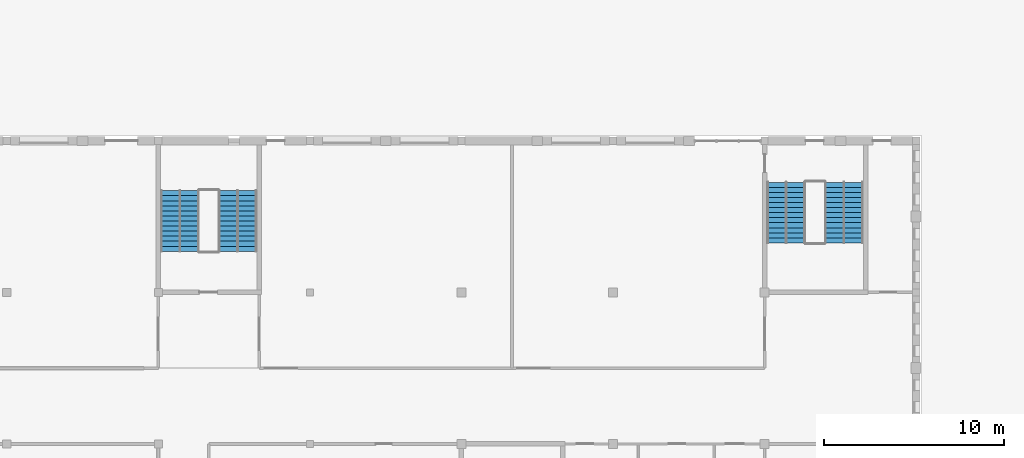
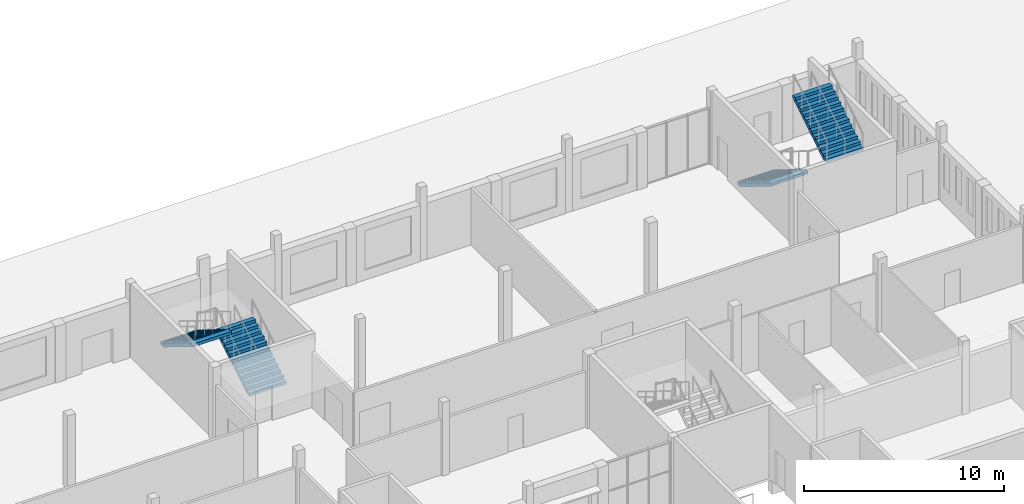
# One storey, part 92 of 101: 4 stair flights, 2 elements without a shape of their own.
"""IFC4 building model written with IfcOpenShell, lengths in metres."""

from ifc_helpers import new_model, si_unit, direction, frame, origin, place, context, subcontext, project, spatial, polyline, outline, extrude, material, type_object, element, aggregate, save


model = new_model("IFC4")

# Units and contexts
model_context = context("Model", 3, precision=1e-05, world=origin(), true_north=direction((0.0, 1.0)))
body_context = subcontext(model_context, "Body", "Model", "MODEL_VIEW")
ifc_project = project(units=[si_unit("LENGTHUNIT", "METRE"), si_unit("AREAUNIT", "SQUARE_METRE"), si_unit("VOLUMEUNIT", "CUBIC_METRE"), si_unit("PLANEANGLEUNIT", "RADIAN"), si_unit("MASSUNIT", "GRAM", prefix="KILO")], contexts=[model_context])

# Site, building, storey
site_placement = place(None, origin())
site = spatial("IfcSite", under=ifc_project, at=site_placement, CompositionType="ELEMENT")
building_placement = place(site_placement, origin())
building = spatial("IfcBuilding", under=site, at=building_placement, Name="Fescue Hill Polytechnic", CompositionType="ELEMENT")
storey_placement = place(building_placement, frame((0.0, 0.0, 9.0)))
storey = spatial("IfcBuildingStorey", under=building, at=storey_placement, Name="L02", CompositionType="ELEMENT", Elevation=9.0)

# Stair, stair flights
ifc_material = material(Name="Concrete 35 MPa", Category="concrete")
stair_type = type_object("IfcStairType", Name="Half-turn stair 2150 flights", PredefinedType="HALF_TURN_STAIR", material=ifc_material)
stair_1_placement = place(storey_placement, origin())
stair_1 = element("IfcStair", 1, at=stair_1_placement, inside=storey, type_object=stair_type, Name="L02 ST-V4b-2 stair", PredefinedType="HALF_TURN_STAIR")
stair_flight_type = type_object("IfcStairFlightType", Name="Stair flight 2150 wide", PredefinedType="STRAIGHT", material=ifc_material)
stair_flight_1_placement = place(storey_placement, frame((110.39990234375, 132.10009765625, 0.0), z_axis=(0.0, 0.0, 1.0), x_axis=(0.0, -1.0, 0.0)))
stair_flight_1 = element("IfcStairFlight", 2, at=stair_flight_1_placement, type_object=stair_flight_type, Name="S23 flight 1", NumberOfRisers=13, NumberOfTreads=12, PredefinedType="STRAIGHT", RiserHeight=0.173076923, TreadLength=0.28, context=body_context, shape_type="SweptSolid", body=[
    extrude(outline(polyline([(0.0, 0.0), (0.0, 0.173095703125), (0.280029296875, 0.173095703125), (0.280029296875, 0.34619140625), (0.56005859375, 0.34619140625), (0.56005859375, 0.519287109375), (0.840087890625, 0.519287109375), (0.840087890625, 0.6923828125), (1.1201171875, 0.6923828125), (1.1201171875, 0.865478515625), (1.39990234375, 0.865478515625), (1.39990234375, 1.03857421875), (1.679931640625, 1.03857421875), (1.679931640625, 1.21142578125), (1.9599609375, 1.21142578125), (1.9599609375, 1.384521484375), (2.239990234375, 1.384521484375), (2.239990234375, 1.5576171875), (2.52001953125, 1.5576171875), (2.52001953125, 1.730712890625), (2.800048828125, 1.730712890625), (2.800048828125, 1.90380859375), (3.080078125, 1.90380859375), (3.080078125, 2.076904296875), (3.360107421875, 2.076904296875), (3.360107421875, 2.25), (3.360107421875, 1.900634765625), (0.28515625, 0.0), (0.0, 0.0)])), frame((0.0, 1.074951171875, 0.0), z_axis=(0.0, -1.0, 0.0), x_axis=(1.0, 0.0, 0.0)), (0.0, 0.0, 1.0), 2.14990234375),
])
stair_flight_2_placement = place(storey_placement, frame((113.60009765625, 128.739990234375, 2.25), z_axis=(0.0, 0.0, 1.0), x_axis=(0.0, 1.0, 0.0)))
stair_flight_2 = element("IfcStairFlight", 3, at=stair_flight_2_placement, type_object=stair_flight_type, Name="S23 flight 2", NumberOfRisers=13, NumberOfTreads=12, PredefinedType="STRAIGHT", RiserHeight=0.173076923, TreadLength=0.28, context=body_context, shape_type="SweptSolid", body=[
    extrude(outline(polyline([(0.0, 0.0), (0.0, 0.173095703125), (0.280029296875, 0.173095703125), (0.280029296875, 0.34619140625), (0.56005859375, 0.34619140625), (0.56005859375, 0.519287109375), (0.840087890625, 0.519287109375), (0.840087890625, 0.6923828125), (1.1201171875, 0.6923828125), (1.1201171875, 0.865478515625), (1.39990234375, 0.865478515625), (1.39990234375, 1.03857421875), (1.679931640625, 1.03857421875), (1.679931640625, 1.21142578125), (1.9599609375, 1.21142578125), (1.9599609375, 1.384521484375), (2.239990234375, 1.384521484375), (2.239990234375, 1.5576171875), (2.52001953125, 1.5576171875), (2.52001953125, 1.730712890625), (2.800048828125, 1.730712890625), (2.800048828125, 1.90380859375), (3.080078125, 1.90380859375), (3.080078125, 2.076904296875), (3.360107421875, 2.076904296875), (3.360107421875, 2.25), (3.360107421875, 1.900634765625), (0.28515625, 0.0), (0.0, 0.0)])), frame((0.0, 1.074951171875, 0.0), z_axis=(0.0, -1.0, 0.0), x_axis=(1.0, 0.0, 0.0)), (0.0, 0.0, 1.0), 2.14990234375),
])
aggregate(stair_1, [stair_flight_1, stair_flight_2])

stair_2_placement = place(storey_placement, origin())
stair_2 = element("IfcStair", 4, at=stair_2_placement, inside=storey, type_object=stair_type, Name="L02 ST-V4b-4 stair", PredefinedType="HALF_TURN_STAIR")
stair_flight_3_placement = place(storey_placement, frame((80.0, 128.27490234375, 0.0), z_axis=(0.0, 0.0, 1.0), x_axis=(0.0, 1.0, 0.0)))
stair_flight_3 = element("IfcStairFlight", 5, at=stair_flight_3_placement, type_object=stair_flight_type, Name="S25 flight 1", NumberOfRisers=13, NumberOfTreads=12, PredefinedType="STRAIGHT", RiserHeight=0.173076923, TreadLength=0.28, context=body_context, shape_type="SweptSolid", body=[
    extrude(outline(polyline([(0.0, 0.0), (0.0, 0.173095703125), (0.280029296875, 0.173095703125), (0.280029296875, 0.34619140625), (0.56005859375, 0.34619140625), (0.56005859375, 0.519287109375), (0.840087890625, 0.519287109375), (0.840087890625, 0.6923828125), (1.1201171875, 0.6923828125), (1.1201171875, 0.865478515625), (1.39990234375, 0.865478515625), (1.39990234375, 1.03857421875), (1.679931640625, 1.03857421875), (1.679931640625, 1.21142578125), (1.9599609375, 1.21142578125), (1.9599609375, 1.384521484375), (2.239990234375, 1.384521484375), (2.239990234375, 1.5576171875), (2.52001953125, 1.5576171875), (2.52001953125, 1.730712890625), (2.800048828125, 1.730712890625), (2.800048828125, 1.90380859375), (3.080078125, 1.90380859375), (3.080078125, 2.076904296875), (3.360107421875, 2.076904296875), (3.360107421875, 2.25), (3.360107421875, 1.900634765625), (0.28515625, 0.0), (0.0, 0.0)])), frame((0.0, 1.074951171875, 0.0), z_axis=(0.0, -1.0, 0.0), x_axis=(1.0, 0.0, 0.0)), (0.0, 0.0, 1.0), 2.14990234375),
])
stair_flight_4_placement = place(storey_placement, frame((76.800048828125, 131.635009765625, 2.25), z_axis=(0.0, 0.0, 1.0), x_axis=(0.0, -1.0, 0.0)))
stair_flight_4 = element("IfcStairFlight", 6, at=stair_flight_4_placement, type_object=stair_flight_type, Name="S25 flight 2", NumberOfRisers=13, NumberOfTreads=12, PredefinedType="STRAIGHT", RiserHeight=0.173076923, TreadLength=0.28, context=body_context, shape_type="SweptSolid", body=[
    extrude(outline(polyline([(0.0, 0.0), (0.0, 0.173095703125), (0.280029296875, 0.173095703125), (0.280029296875, 0.34619140625), (0.56005859375, 0.34619140625), (0.56005859375, 0.519287109375), (0.840087890625, 0.519287109375), (0.840087890625, 0.6923828125), (1.1201171875, 0.6923828125), (1.1201171875, 0.865478515625), (1.39990234375, 0.865478515625), (1.39990234375, 1.03857421875), (1.679931640625, 1.03857421875), (1.679931640625, 1.21142578125), (1.9599609375, 1.21142578125), (1.9599609375, 1.384521484375), (2.239990234375, 1.384521484375), (2.239990234375, 1.5576171875), (2.52001953125, 1.5576171875), (2.52001953125, 1.730712890625), (2.800048828125, 1.730712890625), (2.800048828125, 1.90380859375), (3.080078125, 1.90380859375), (3.080078125, 2.076904296875), (3.360107421875, 2.076904296875), (3.360107421875, 2.25), (3.360107421875, 1.900634765625), (0.28515625, 0.0), (0.0, 0.0)])), frame((0.0, 1.074951171875, 0.0), z_axis=(0.0, -1.0, 0.0), x_axis=(1.0, 0.0, 0.0)), (0.0, 0.0, 1.0), 2.14990234375),
])
aggregate(stair_2, [stair_flight_3, stair_flight_4])

save(model, "model.ifc")
